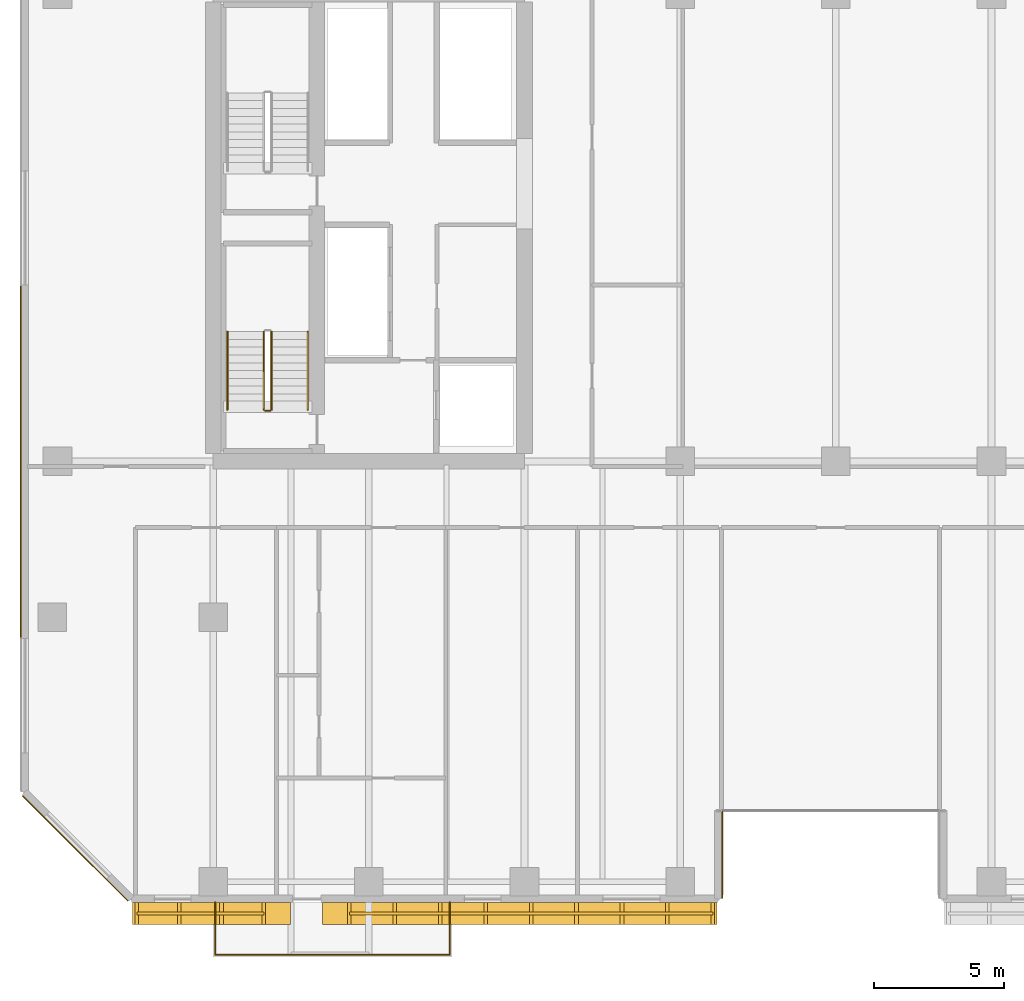
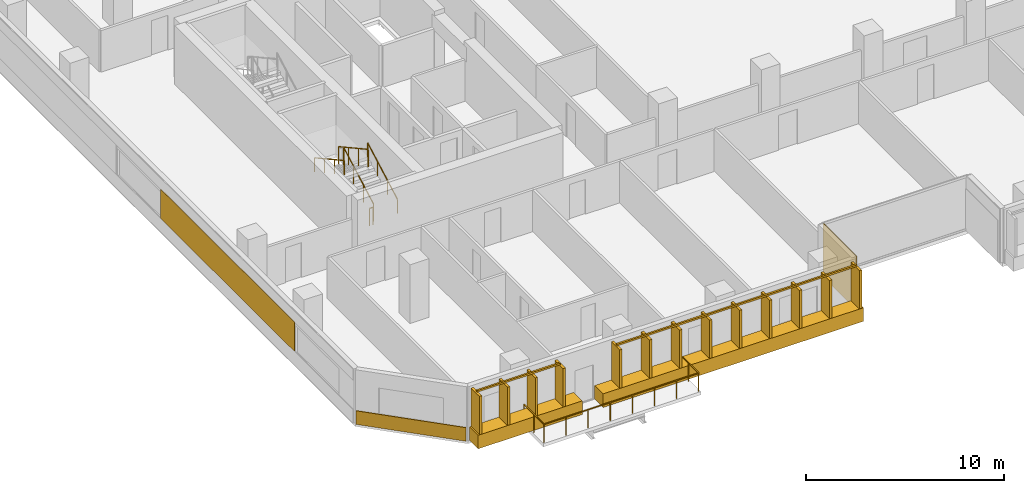
# One storey, part 17 of 25: 8 railings, 5 coverings.
"""IFC4 building model written with IfcOpenShell, lengths in metres."""

from ifc_helpers import new_model, si_unit, direction, frame, origin, origin_2d, place, context, subcontext, project, spatial, rectangle, extrude, material, layer, layer_set, type_object, element, save


model = new_model("IFC4")

# Units and contexts
model_context = context("Model", 3, precision=1e-05, world=origin(), true_north=direction((0.0, 1.0)))
body_context = subcontext(model_context, "Body", "Model", "MODEL_VIEW")
ifc_project = project(units=[si_unit("LENGTHUNIT", "METRE"), si_unit("AREAUNIT", "SQUARE_METRE"), si_unit("VOLUMEUNIT", "CUBIC_METRE"), si_unit("PLANEANGLEUNIT", "RADIAN"), si_unit("MASSUNIT", "GRAM", prefix="KILO")], contexts=[model_context])

# Site, building, storey
site_placement = place(None, origin())
site = spatial("IfcSite", under=ifc_project, at=site_placement, CompositionType="ELEMENT")
building_placement = place(site_placement, origin())
building = spatial("IfcBuilding", under=site, at=building_placement, Name="Tanjung Sevakor Pilgrim Tower", CompositionType="ELEMENT")
storey_placement = place(building_placement, frame((0.0, 0.0, 69.6298828125)))
storey = spatial("IfcBuildingStorey", under=building, at=storey_placement, Name="L19", CompositionType="ELEMENT", Elevation=69.6298828125)

# Coverings
ifc_material_1 = material(Name="Reconstructed Limestone Cladding", Category="masonry")
ifc_layer = layer(ifc_material_1, 0.044921875)
ifc_layer_set = layer_set([ifc_layer], Name="COV-CLAD-LIMESTONE")
covering_type = type_object("IfcCoveringType", Name="COV-CLAD-LIMESTONE", PredefinedType="CLADDING", material=ifc_layer_set)
covering_1_placement = place(storey_placement, frame((23.944091796875, 7.169921875, 0.01025390625), z_axis=(0.0, 0.0, 1.0), x_axis=(1.0, 0.0, 0.0)))
element("IfcCovering", 1, at=covering_1_placement, inside=storey, type_object=covering_type, Name="L19 Warm Limestone Sill Spandrel EW-L19-MAIN-1-1", PredefinedType="CLADDING", context=body_context, shape_type="SweptSolid", body=[
    extrude(rectangle(XDim=6.092041015625, YDim=0.860107421875, at=origin_2d()), origin(), (0.0, 0.0, 1.0), 0.840087890625),
])
covering_2_placement = place(storey_placement, frame((35.81494140625, 7.169921875, 0.01025390625), z_axis=(0.0, 0.0, 1.0), x_axis=(1.0, 0.0, 0.0)))
element("IfcCovering", 2, at=covering_2_placement, inside=storey, type_object=covering_type, Name="L19 Warm Limestone Sill Spandrel EW-L19-MAIN-1-2", PredefinedType="CLADDING", context=body_context, shape_type="SweptSolid", body=[
    extrude(rectangle(XDim=15.2099609375, YDim=0.860107421875, at=origin_2d()), origin(), (0.0, 0.0, 1.0), 0.840087890625),
])
covering_3_placement = place(storey_placement, frame((43.62255859375, 9.43994140625, 0.02001953125), z_axis=(0.0, 0.0, 1.0), x_axis=(0.0, 1.0, 0.0)))
element("IfcCovering", 3, at=covering_3_placement, inside=storey, type_object=covering_type, Name="L19 Warm Limestone Wall Cladding EW-L19-MAIN-2", PredefinedType="CLADDING", context=body_context, shape_type="SweptSolid", body=[
    extrude(rectangle(XDim=3.360107421875, YDim=0.044921875, at=origin_2d()), origin(), (0.0, 0.0, 1.0), 3.31005859375),
])
covering_4_placement = place(storey_placement, frame((16.577392578125, 24.58447265625, 0.85009765625), z_axis=(0.0, 0.0, 1.0), x_axis=(0.0, -1.0, 0.0)))
element("IfcCovering", 4, at=covering_4_placement, inside=storey, type_object=covering_type, Name="L19 Warm Limestone Pier Panel EW-L19-MAIN-15-2", PredefinedType="CLADDING", context=body_context, shape_type="SweptSolid", body=[
    extrude(rectangle(XDim=13.531005859375, YDim=0.044921875, at=origin_2d()), origin(), (0.0, 0.0, 1.0), 1.81005859375),
])
covering_5_placement = place(storey_placement, frame((18.68408203125, 9.68408203125, 0.01025390625), z_axis=(0.0, 0.0, 1.0), x_axis=(0.707106781187, -0.707106781187, 0.0)))
element("IfcCovering", 5, at=covering_5_placement, inside=storey, type_object=covering_type, Name="L19 Warm Limestone Sill Spandrel EW-CHM-L19-MAIN-15-1", PredefinedType="CLADDING", context=body_context, shape_type="SweptSolid", body=[
    extrude(rectangle(XDim=5.74365234375, YDim=0.044921875, at=origin_2d()), origin(), (0.0, 0.0, 1.0), 0.840087890625),
])

# Railings
ifc_material_2 = material(Name="Laminated Glass and Aluminium", Category="aluminium")
railing_type_1 = type_object("IfcRailingType", Name="RL-BAL-BALUST", PredefinedType="BALUSTRADE", material=ifc_material_2)
railing_1_placement = place(storey_placement, frame((24.080078125, 7.60009765625, 0.0)))
element("IfcRailing", 6, at=railing_1_placement, inside=storey, type_object=railing_type_1, Name="L19 Loggia Balustrade MAIN-S1", PredefinedType="BALUSTRADE", context=body_context, shape_type="SweptSolid", body=[
    extrude(rectangle(XDim=0.0479, YDim=0.0479), frame((0.0, 0.0, 1.1259765625), z_axis=(0.0, -1.0, 0.0), x_axis=(1.0, 0.0, 0.0)), (0.0, 0.0, 1.0), 2.02001953125),
    extrude(rectangle(XDim=0.0479, YDim=0.0479), frame((0.0, -2.02001953125, 1.1259765625), z_axis=(1.0, 0.0, 0.0), x_axis=(0.0, 1.0, 0.0)), (0.0, 0.0, 1.0), 9.0400390625),
    extrude(rectangle(XDim=0.0479, YDim=0.0479), frame((9.0400390625, -2.02001953125, 1.1259765625), z_axis=(0.0, 1.0, 0.0), x_axis=(-1.0, 0.0, 0.0)), (0.0, 0.0, 1.0), 2.02001953125),
    extrude(rectangle(XDim=0.042, YDim=0.042), origin(), (0.0, 0.0, 1.0), 1.101806640625),
    extrude(rectangle(XDim=0.042, YDim=0.042), frame((0.0, -1.010009765625, 0.0)), (0.0, 0.0, 1.0), 1.101806640625),
    extrude(rectangle(XDim=0.042, YDim=0.042), frame((0.0, -2.02001953125, 0.0)), (0.0, 0.0, 1.0), 1.101806640625),
    extrude(rectangle(XDim=0.042, YDim=0.042), frame((1.29150390625, -2.02001953125, 0.0)), (0.0, 0.0, 1.0), 1.101806640625),
    extrude(rectangle(XDim=0.042, YDim=0.042), frame((2.582763671875, -2.02001953125, 0.0)), (0.0, 0.0, 1.0), 1.101806640625),
    extrude(rectangle(XDim=0.042, YDim=0.042), frame((3.874267578125, -2.02001953125, 0.0)), (0.0, 0.0, 1.0), 1.101806640625),
    extrude(rectangle(XDim=0.042, YDim=0.042), frame((5.165771484375, -2.02001953125, 0.0)), (0.0, 0.0, 1.0), 1.101806640625),
    extrude(rectangle(XDim=0.042, YDim=0.042), frame((6.457275390625, -2.02001953125, 0.0)), (0.0, 0.0, 1.0), 1.101806640625),
    extrude(rectangle(XDim=0.042, YDim=0.042), frame((7.74853515625, -2.02001953125, 0.0)), (0.0, 0.0, 1.0), 1.101806640625),
    extrude(rectangle(XDim=0.042, YDim=0.042), frame((9.0400390625, -2.02001953125, 0.0)), (0.0, 0.0, 1.0), 1.101806640625),
    extrude(rectangle(XDim=0.042, YDim=0.042), frame((9.0400390625, -1.010009765625, 0.0)), (0.0, 0.0, 1.0), 1.101806640625),
    extrude(rectangle(XDim=0.042, YDim=0.042), frame((9.0400390625, 0.0, 0.0)), (0.0, 0.0, 1.0), 1.101806640625),
])
ifc_material_3 = material(Name="Anodised Bronze Aluminium 6063-T6", Category="aluminium")
railing_type_2 = type_object("IfcRailingType", Name="RL-FIN-SCREEN", PredefinedType="BALUSTRADE", material=ifc_material_3)
railing_2_placement = place(storey_placement, frame((21.05810546875, 7.175048828125, 0.840087890625)))
element("IfcRailing", 7, at=railing_2_placement, inside=storey, type_object=railing_type_2, Name="L19 Vertical Bronze-Gold Solar Fin Screen FNSCR-EW-L19-MAIN-1-1", PredefinedType="BALUSTRADE", context=body_context, shape_type="SweptSolid", body=[
    extrude(rectangle(XDim=0.105, YDim=0.105), frame((0.0, 0.0, 2.427490234375), z_axis=(1.0, 0.0, 0.0), x_axis=(0.0, 1.0, 0.0)), (0.0, 0.0, 1.0), 4.891845703125),
    extrude(rectangle(XDim=0.14, YDim=0.85), origin(), (0.0, 0.0, 1.0), 2.375),
    extrude(rectangle(XDim=0.14, YDim=0.85), frame((1.630615234375, 0.0, 0.0)), (0.0, 0.0, 1.0), 2.375),
    extrude(rectangle(XDim=0.14, YDim=0.85), frame((3.26123046875, 0.0, 0.0)), (0.0, 0.0, 1.0), 2.375),
    extrude(rectangle(XDim=0.14, YDim=0.85), frame((4.891845703125, 0.0, 0.0)), (0.0, 0.0, 1.0), 2.375),
])
railing_3_placement = place(storey_placement, frame((29.25, 7.175048828125, 0.840087890625)))
element("IfcRailing", 8, at=railing_3_placement, inside=storey, type_object=railing_type_2, Name="L19 Vertical Bronze-Gold Solar Fin Screen FNSCR-EW-L19-MAIN-1-2", PredefinedType="BALUSTRADE", context=body_context, shape_type="SweptSolid", body=[
    extrude(rectangle(XDim=0.105, YDim=0.105), frame((0.0, 0.0, 2.427490234375), z_axis=(1.0, 0.0, 0.0), x_axis=(0.0, 1.0, 0.0)), (0.0, 0.0, 1.0), 14.010009765625),
    extrude(rectangle(XDim=0.14, YDim=0.85), origin(), (0.0, 0.0, 1.0), 2.375),
    extrude(rectangle(XDim=0.14, YDim=0.85), frame((1.751220703125, 0.0, 0.0)), (0.0, 0.0, 1.0), 2.375),
    extrude(rectangle(XDim=0.14, YDim=0.85), frame((3.50244140625, 0.0, 0.0)), (0.0, 0.0, 1.0), 2.375),
    extrude(rectangle(XDim=0.14, YDim=0.85), frame((5.253662109375, 0.0, 0.0)), (0.0, 0.0, 1.0), 2.375),
    extrude(rectangle(XDim=0.14, YDim=0.85), frame((7.0048828125, 0.0, 0.0)), (0.0, 0.0, 1.0), 2.375),
    extrude(rectangle(XDim=0.14, YDim=0.85), frame((8.75634765625, 0.0, 0.0)), (0.0, 0.0, 1.0), 2.375),
    extrude(rectangle(XDim=0.14, YDim=0.85), frame((10.507568359375, 0.0, 0.0)), (0.0, 0.0, 1.0), 2.375),
    extrude(rectangle(XDim=0.14, YDim=0.85), frame((12.2587890625, 0.0, 0.0)), (0.0, 0.0, 1.0), 2.375),
    extrude(rectangle(XDim=0.14, YDim=0.85), frame((14.010009765625, 0.0, 0.0)), (0.0, 0.0, 1.0), 2.375),
])
ifc_material_4 = material(Name="Steel S355J2", Category="steel")
railing_type_3 = type_object("IfcRailingType", Name="RL-STAIR-GUARD", PredefinedType="GUARDRAIL", material=ifc_material_4)
railing_4_placement = place(storey_placement, frame((26.25, 26.60009765625, 0.1650390625)))
element("IfcRailing", 9, at=railing_4_placement, inside=storey, type_object=railing_type_3, Name="L19 TS-W1 stair guard 1", PredefinedType="GUARDRAIL", context=body_context, shape_type="SweptSolid", body=[
    extrude(rectangle(XDim=0.0479, YDim=0.0479), frame((0.0, 0.0, 1.076171875), z_axis=(0.0, 0.876197842262, 0.481951596342), x_axis=(-1.0, 0.0, 0.0)), (0.0, 0.0, 1.0), 3.423828125),
    extrude(rectangle(XDim=0.042, YDim=0.042), origin(), (0.0, 0.0, 1.0), 1.052001953125),
    extrude(rectangle(XDim=0.042, YDim=0.042), frame((0.0, 1.0, 0.550048828125)), (0.0, 0.0, 1.0), 1.052001953125),
    extrude(rectangle(XDim=0.042, YDim=0.042), frame((0.0, 2.0, 1.10009765625)), (0.0, 0.0, 1.0), 1.052001953125),
    extrude(rectangle(XDim=0.042, YDim=0.042), frame((0.0, 3.0, 1.650146484375)), (0.0, 0.0, 1.0), 1.052001953125),
])
railing_5_placement = place(storey_placement, frame((25.949951171875, 29.60009765625, 1.980224609375)))
element("IfcRailing", 10, at=railing_5_placement, inside=storey, type_object=railing_type_3, Name="L19 TS-W1 stair guard 3", PredefinedType="GUARDRAIL", context=body_context, shape_type="SweptSolid", body=[
    extrude(rectangle(XDim=0.0479, YDim=0.0479), frame((0.0, 0.0, 1.076171875), z_axis=(0.0, -0.876227952683, 0.48189685093), x_axis=(1.0, 0.0, 0.0)), (0.0, 0.0, 1.0), 3.423828125),
    extrude(rectangle(XDim=0.042, YDim=0.042), origin(), (0.0, 0.0, 1.0), 1.052001953125),
    extrude(rectangle(XDim=0.042, YDim=0.042), frame((0.0, -1.0, 0.550048828125)), (0.0, 0.0, 1.0), 1.052001953125),
    extrude(rectangle(XDim=0.042, YDim=0.042), frame((0.0, -2.0, 1.099853515625)), (0.0, 0.0, 1.0), 1.052001953125),
    extrude(rectangle(XDim=0.042, YDim=0.042), frame((0.0, -3.0, 1.64990234375)), (0.0, 0.0, 1.0), 1.052001953125),
])
railing_6_placement = place(storey_placement, frame((26.199951171875, 26.550048828125, 0.0)))
element("IfcRailing", 11, at=railing_6_placement, inside=storey, type_object=railing_type_3, Name="L19 TS-W1 stair guard 4", PredefinedType="GUARDRAIL", context=body_context, shape_type="SweptSolid", body=[
    extrude(rectangle(XDim=0.0479, YDim=0.0479), frame((0.0, 0.0, 1.076171875), z_axis=(-1.0, 0.0, 0.0), x_axis=(0.0, -1.0, 0.0)), (0.0, 0.0, 1.0), 0.199951171875),
    extrude(rectangle(XDim=0.042, YDim=0.042), origin(), (0.0, 0.0, 1.0), 1.052001953125),
    extrude(rectangle(XDim=0.042, YDim=0.042), frame((-0.199951171875, 0.0, 0.0)), (0.0, 0.0, 1.0), 1.052001953125),
])
ifc_material_5 = material(Name="Steel S355J2", Category="steel")
railing_type_4 = type_object("IfcRailingType", Name="RL-STAIR-HAND", PredefinedType="HANDRAIL", material=ifc_material_5)
railing_7_placement = place(storey_placement, frame((27.64990234375, 26.60009765625, 0.1650390625)))
element("IfcRailing", 12, at=railing_7_placement, inside=storey, type_object=railing_type_4, Name="L19 TS-W1 stair handrail 1", PredefinedType="HANDRAIL", context=body_context, shape_type="SweptSolid", body=[
    extrude(rectangle(XDim=0.0479, YDim=0.0479), frame((0.0, 0.0, 0.8759765625), z_axis=(0.0, 0.876197842262, 0.481951596342), x_axis=(-1.0, 0.0, 0.0)), (0.0, 0.0, 1.0), 3.423828125),
    extrude(rectangle(XDim=0.042, YDim=0.042), origin(), (0.0, 0.0, 1.0), 0.851806640625),
    extrude(rectangle(XDim=0.042, YDim=0.042), frame((0.0, 1.0, 0.550048828125)), (0.0, 0.0, 1.0), 0.851806640625),
    extrude(rectangle(XDim=0.042, YDim=0.042), frame((0.0, 2.0, 1.10009765625)), (0.0, 0.0, 1.0), 0.851806640625),
    extrude(rectangle(XDim=0.042, YDim=0.042), frame((0.0, 3.0, 1.650146484375)), (0.0, 0.0, 1.0), 0.851806640625),
])
railing_8_placement = place(storey_placement, frame((24.550048828125, 29.60009765625, 1.980224609375)))
element("IfcRailing", 13, at=railing_8_placement, inside=storey, type_object=railing_type_4, Name="L19 TS-W1 stair handrail 2", PredefinedType="HANDRAIL", context=body_context, shape_type="SweptSolid", body=[
    extrude(rectangle(XDim=0.0479, YDim=0.0479), frame((0.0, 0.0, 0.8759765625), z_axis=(0.0, -0.876227952683, 0.48189685093), x_axis=(1.0, 0.0, 0.0)), (0.0, 0.0, 1.0), 3.423828125),
    extrude(rectangle(XDim=0.042, YDim=0.042), origin(), (0.0, 0.0, 1.0), 0.851806640625),
    extrude(rectangle(XDim=0.042, YDim=0.042), frame((0.0, -1.0, 0.550048828125)), (0.0, 0.0, 1.0), 0.851806640625),
    extrude(rectangle(XDim=0.042, YDim=0.042), frame((0.0, -2.0, 1.099853515625)), (0.0, 0.0, 1.0), 0.851806640625),
    extrude(rectangle(XDim=0.042, YDim=0.042), frame((0.0, -3.0, 1.64990234375)), (0.0, 0.0, 1.0), 0.851806640625),
])

save(model, "model.ifc")
